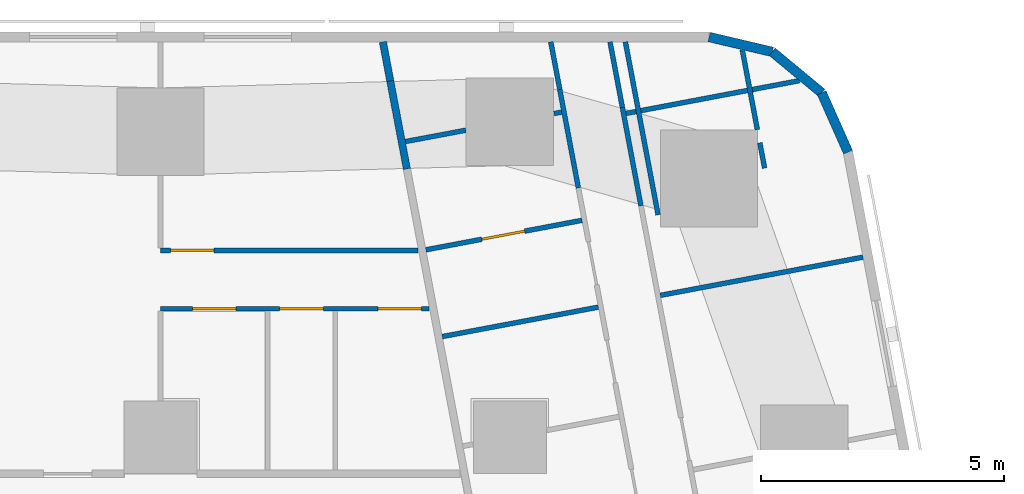
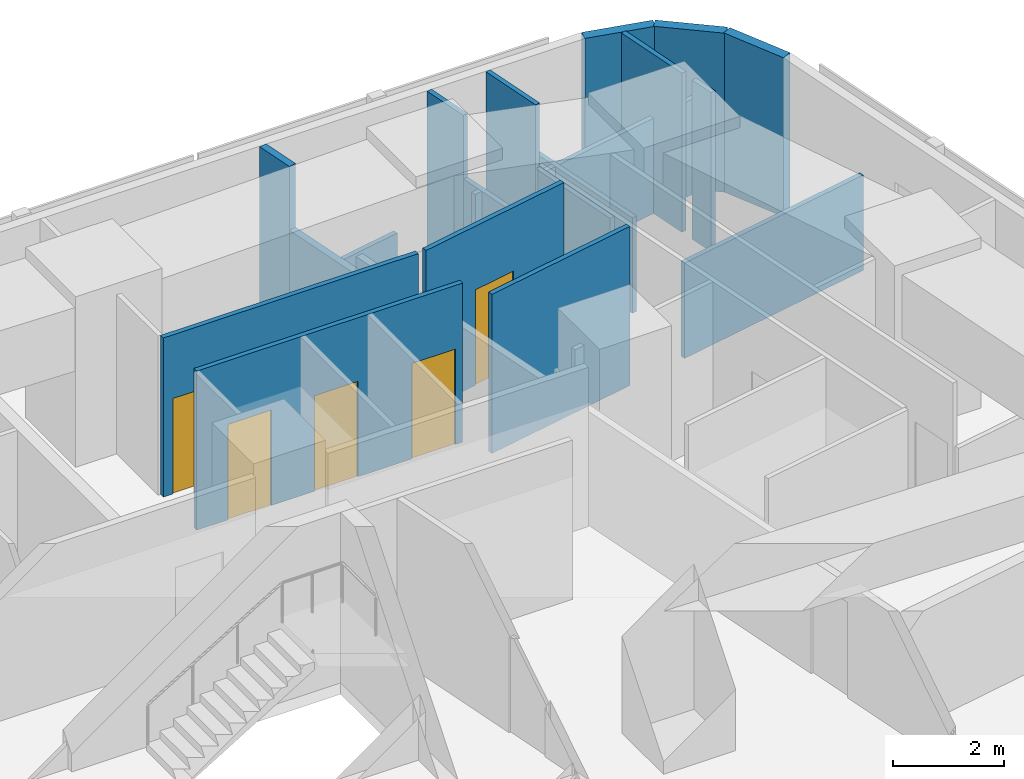
# One storey, part 11 of 15: 20 walls, 5 doors, 5 openings.
"""IFC4 building model written with IfcOpenShell, lengths in metres."""

from ifc_helpers import new_model, si_unit, direction, frame, frame_2d, origin, place, context, subcontext, project, spatial, rectangle, extrude, material, layer, layer_set, type_object, element, fill, save


model = new_model("IFC4")

# Units and contexts
model_context = context("Model", 3, precision=1e-05, world=origin(), true_north=direction((0.0, 1.0)))
body_context = subcontext(model_context, "Body", "Model", "MODEL_VIEW")
ifc_project = project(units=[si_unit("LENGTHUNIT", "METRE"), si_unit("AREAUNIT", "SQUARE_METRE"), si_unit("VOLUMEUNIT", "CUBIC_METRE"), si_unit("PLANEANGLEUNIT", "RADIAN"), si_unit("MASSUNIT", "GRAM", prefix="KILO")], contexts=[model_context])

# Site, building, storey
site_placement = place(None, origin())
site = spatial("IfcSite", under=ifc_project, at=site_placement, CompositionType="ELEMENT")
building_placement = place(site_placement, origin())
building = spatial("IfcBuilding", under=site, at=building_placement, Name="Sheger Commons Tower", CompositionType="ELEMENT")
storey_placement = place(building_placement, frame((0.0, 0.0, 147.050048828125)))
storey = spatial("IfcBuildingStorey", under=building, at=storey_placement, Name="L37", CompositionType="ELEMENT", Elevation=147.050048828125)

# Walls
ifc_material_1 = material(Name="Hollow concrete block masonry, skimmed both sides", Category="masonry")
ifc_layer_1 = layer(ifc_material_1, 0.14990234375)
ifc_layer_set_1 = layer_set([ifc_layer_1], Name="CORRIDOR WALL 150")
wall_type_1 = type_object("IfcWallType", Name="CORRIDOR WALL 150", PredefinedType="SOLIDWALL", material=ifc_layer_set_1)
wall_1_placement = place(storey_placement, frame((33.382080078125, 45.64990234375, 0.0), z_axis=(0.0, 0.0, 1.0), x_axis=(0.185169202764, -0.982706653253, 0.0)))
element("IfcWall", 1, at=wall_1_placement, inside=storey, type_object=wall_type_1, Name="Corridor wall L37", PredefinedType="SOLIDWALL", context=body_context, shape_type="SweptSolid", body=[
    extrude(rectangle(XDim=0.820068359375, YDim=0.14990234375, at=frame_2d((0.41015625, 0.0))), origin(), (0.0, 0.0, 1.0), 3.5),
])
wall_2_placement = place(storey_placement, frame((33.533935546875, 44.843994140625, 0.0), z_axis=(0.0, 0.0, 1.0), x_axis=(0.185708872674, -0.982604811005, 0.0)))
element("IfcWall", 2, at=wall_2_placement, inside=storey, type_object=wall_type_1, Name="Corridor wall L37", PredefinedType="SOLIDWALL", context=body_context, shape_type="SweptSolid", body=[
    extrude(rectangle(XDim=1.84716796875, YDim=0.14990234375, at=frame_2d((0.923583984375, 0.0))), origin(), (0.0, 0.0, 1.0), 2.099853515625),
])
ifc_material_2 = material(Name="Rendered concrete block masonry, dark grey", Category="masonry")
ifc_layer_2 = layer(ifc_material_2, 0.199951171875)
ifc_layer_set_2 = layer_set([ifc_layer_2], Name="FACADE WALL 200")
wall_type_2 = type_object("IfcWallType", Name="FACADE WALL 200", PredefinedType="SOLIDWALL", material=ifc_layer_set_2)
wall_3_placement = place(storey_placement, frame((42.969970703125, 43.376953125, 0.0), z_axis=(0.0, 0.0, 1.0), x_axis=(-0.406002956633, 0.913871762998, 0.0)))
element("IfcWall", 3, at=wall_3_placement, inside=storey, type_object=wall_type_2, Name="Facade wall L37", PredefinedType="SOLIDWALL", context=body_context, shape_type="SweptSolid", body=[
    extrude(rectangle(XDim=1.33740234375, YDim=0.199951171875, at=frame_2d((0.668701171875, 0.0))), origin(), (0.0, 0.0, 1.0), 3.5),
])
wall_4_placement = place(storey_placement, frame((42.427001953125, 44.59912109375, 0.0), z_axis=(0.0, 0.0, 1.0), x_axis=(-0.770091412544, 0.637933551655, 0.0)))
element("IfcWall", 4, at=wall_4_placement, inside=storey, type_object=wall_type_2, Name="Facade wall L37", PredefinedType="SOLIDWALL", context=body_context, shape_type="SweptSolid", body=[
    extrude(rectangle(XDim=1.324462890625, YDim=0.199951171875, at=frame_2d((0.662109375, 0.0))), origin(), (0.0, 0.0, 1.0), 3.5),
])
wall_5_placement = place(storey_placement, frame((41.406982421875, 45.444091796875, 0.0), z_axis=(0.0, 0.0, 1.0), x_axis=(-0.973453091607, 0.228886606077, 0.0)))
element("IfcWall", 5, at=wall_5_placement, inside=storey, type_object=wall_type_2, Name="Facade wall L37", PredefinedType="SOLIDWALL", context=body_context, shape_type="SweptSolid", body=[
    extrude(rectangle(XDim=1.33642578125, YDim=0.199951171875, at=frame_2d((0.668212890625, 0.0))), origin(), (0.0, 0.0, 1.0), 3.5),
])
ifc_material_3 = material(Name="Gypsum board on steel studs", Category="steel")
ifc_layer_3 = layer(ifc_material_3, 0.10009765625)
ifc_layer_set_3 = layer_set([ifc_layer_3], Name="PARTITION 100")
wall_type_3 = type_object("IfcWallType", Name="PARTITION 100", PredefinedType="PARTITIONING", material=ifc_layer_set_3)
wall_6_placement = place(storey_placement, frame((39.053955078125, 42.0849609375, 0.0), z_axis=(0.0, 0.0, 1.0), x_axis=(-0.185791584218, 0.982589175207, 0.0)))
element("IfcWall", 6, at=wall_6_placement, inside=storey, type_object=wall_type_3, Name="Partition L37", PredefinedType="PARTITIONING", context=body_context, shape_type="SweptSolid", body=[
    extrude(rectangle(XDim=3.628173828125, YDim=0.10009765625, at=frame_2d((1.81396484375, 0.0))), origin(), (0.0, 0.0, 1.0), 2.099853515625),
])
wall_7_placement = place(storey_placement, frame((40.7890625, 45.487060546875, 0.0), z_axis=(0.0, 0.0, 1.0), x_axis=(0.185572395193, -0.982630594955, 0.0)))
element("IfcWall", 7, at=wall_7_placement, inside=storey, type_object=wall_type_3, Name="Partition L37", PredefinedType="PARTITIONING", context=body_context, shape_type="SweptSolid", body=[
    extrude(rectangle(XDim=1.676025390625, YDim=0.10009765625, at=frame_2d((0.837890625, 0.0))), origin(), (0.0, 0.0, 1.0), 3.5),
])
wall_8_placement = place(storey_placement, frame((41.15087890625, 43.569091796875, 0.0), z_axis=(0.0, 0.0, 1.0), x_axis=(0.186563073924, -0.982442985342, 0.0)))
element("IfcWall", 8, at=wall_8_placement, inside=storey, type_object=wall_type_3, Name="Partition L37", PredefinedType="PARTITIONING", context=body_context, shape_type="SweptSolid", body=[
    extrude(rectangle(XDim=0.53125, YDim=0.10009765625, at=frame_2d((0.265625, 0.0))), origin(), (0.0, 0.0, 1.0), 3.5),
])
wall_9_placement = place(storey_placement, frame((38.06298828125, 45.64990234375, 0.0), z_axis=(0.0, 0.0, 1.0), x_axis=(0.185456359766, -0.982652501458, 0.0)))
element("IfcWall", 9, at=wall_9_placement, inside=storey, type_object=wall_type_3, Name="Partition L37", PredefinedType="PARTITIONING", context=body_context, shape_type="SweptSolid", body=[
    extrude(rectangle(XDim=1.375732421875, YDim=0.10009765625, at=frame_2d((0.68798828125, 0.0))), origin(), (0.0, 0.0, 1.0), 3.5),
])
wall_10_placement = place(storey_placement, frame((38.318115234375, 44.298095703125, 0.0), z_axis=(0.0, 0.0, 1.0), x_axis=(0.185481135188, -0.982647825261, 0.0)))
element("IfcWall", 10, at=wall_10_placement, inside=storey, type_object=wall_type_3, Name="Partition L37", PredefinedType="PARTITIONING", context=body_context, shape_type="SweptSolid", body=[
    extrude(rectangle(XDim=2.06396484375, YDim=0.10009765625, at=frame_2d((1.031982421875, 0.0))), origin(), (0.0, 0.0, 1.0), 2.099853515625),
])
wall_11_placement = place(storey_placement, frame((36.842041015625, 45.64990234375, 0.0), z_axis=(0.0, 0.0, 1.0), x_axis=(0.185789875365, -0.982589498322, 0.0)))
element("IfcWall", 11, at=wall_11_placement, inside=storey, type_object=wall_type_3, Name="Partition L37", PredefinedType="PARTITIONING", context=body_context, shape_type="SweptSolid", body=[
    extrude(rectangle(XDim=1.001220703125, YDim=0.10009765625, at=frame_2d((0.50048828125, 0.0))), origin(), (0.0, 0.0, 1.0), 3.5),
])
wall_12_placement = place(storey_placement, frame((37.028076171875, 44.666015625, 0.0), z_axis=(0.0, 0.0, 1.0), x_axis=(0.185481135188, -0.982647825261, 0.0)))
element("IfcWall", 12, at=wall_12_placement, inside=storey, type_object=wall_type_3, Name="Partition L37", PredefinedType="PARTITIONING", context=body_context, shape_type="SweptSolid", body=[
    extrude(rectangle(XDim=2.06396484375, YDim=0.10009765625, at=frame_2d((1.031982421875, 0.0))), origin(), (0.0, 0.0, 1.0), 2.099853515625),
])
wall_13_placement = place(storey_placement, frame((41.968017578125, 44.85009765625, 0.0), z_axis=(0.0, 0.0, 1.0), x_axis=(-0.98258614234, -0.185807623311, 0.0)))
element("IfcWall", 13, at=wall_13_placement, inside=storey, type_object=wall_type_3, Name="Partition L37", PredefinedType="PARTITIONING", context=body_context, shape_type="SweptSolid", body=[
    extrude(rectangle(XDim=3.638427734375, YDim=0.10009765625, at=frame_2d((1.8193359375, 0.0))), origin(), (0.0, 0.0, 1.0), 2.099853515625),
])
wall_14_placement = place(storey_placement, frame((43.277099609375, 41.2119140625, 0.0), z_axis=(0.0, 0.0, 1.0), x_axis=(-0.982665405803, -0.185387972203, 0.0)))
element("IfcWall", 14, at=wall_14_placement, inside=storey, type_object=wall_type_3, Name="Partition L37", PredefinedType="PARTITIONING", context=body_context, shape_type="SweptSolid", body=[
    extrude(rectangle(XDim=4.249755859375, YDim=0.10009765625, at=frame_2d((2.125, 0.0))), origin(), (0.0, 0.0, 1.0), 2.099853515625),
])
wall_15_placement = place(storey_placement, frame((37.06494140625, 44.200927734375, 0.0), z_axis=(0.0, 0.0, 1.0), x_axis=(-0.983168876381, -0.182699098288, 0.0)))
element("IfcWall", 15, at=wall_15_placement, inside=storey, type_object=wall_type_3, Name="Partition L37", PredefinedType="PARTITIONING", context=body_context, shape_type="SweptSolid", body=[
    extrude(rectangle(XDim=0.15771484375, YDim=0.10009765625, at=frame_2d((0.078857421875, 0.0))), origin(), (0.0, 0.0, 1.0), 2.099853515625),
])
wall_16_placement = place(storey_placement, frame((35.090087890625, 43.827880859375, 0.0), z_axis=(0.0, 0.0, 1.0), x_axis=(-0.982758384778, -0.184894448668, 0.0)))
element("IfcWall", 16, at=wall_16_placement, inside=storey, type_object=wall_type_3, Name="Partition L37", PredefinedType="PARTITIONING", context=body_context, shape_type="SweptSolid", body=[
    extrude(rectangle(XDim=1.264892578125, YDim=0.10009765625, at=frame_2d((0.63232421875, 0.0))), origin(), (0.0, 0.0, 1.0), 2.099853515625),
])
wall_17_placement = place(storey_placement, frame((37.822998046875, 40.181884765625, 0.0), z_axis=(0.0, 0.0, 1.0), x_axis=(-0.982664729897, -0.18539155487, 0.0)))
element("IfcWall", 17, at=wall_17_placement, inside=storey, type_object=wall_type_3, Name="Partition L37", PredefinedType="PARTITIONING", context=body_context, shape_type="SweptSolid", body=[
    extrude(rectangle(XDim=3.273681640625, YDim=0.10009765625, at=frame_2d((1.63671875, 0.0))), origin(), (0.0, 0.0, 1.0), 3.5),
])

# Wall, opening, door
wall_18_placement = place(storey_placement, frame((37.486083984375, 41.970947265625, 0.0), z_axis=(0.0, 0.0, 1.0), x_axis=(-0.982620626894, -0.185625169636, 0.0)))
wall_18 = element("IfcWall", 18, at=wall_18_placement, inside=storey, type_object=wall_type_3, Name="Partition L37", PredefinedType="PARTITIONING", context=body_context, shape_type="SweptSolid", body=[
    extrude(rectangle(XDim=3.27490234375, YDim=0.10009765625, at=frame_2d((1.637451171875, 0.0))), origin(), (0.0, 0.0, 1.0), 3.5),
])
opening_1_placement = place(wall_18_placement, frame((1.200927734375, 0.0, 0.0)))
opening_1 = element("IfcOpeningElement", 19, at=opening_1_placement, cuts=wall_18, Name="Opening D2", PredefinedType="OPENING", context=body_context, shape_type="SweptSolid", body=[
    extrude(rectangle(XDim=0.89990234375, YDim=2.10009765625, at=frame_2d((0.449951171875, 1.050048828125))), frame((0.0, 0.06005859375, 0.0), z_axis=(0.0, -1.0, 0.0), x_axis=(1.0, 0.0, 0.0)), (0.0, 0.0, 1.0), 0.1201171875),
])
ifc_material_4 = material(Name="Timber door set", Category="wood")
door_type = type_object("IfcDoorType", Name="INTERNAL DOOR 900x2100", OperationType="NOTDEFINED", PredefinedType="DOOR", material=ifc_material_4)
door_1_placement = place(opening_1_placement, origin())
door_1 = element("IfcDoor", 20, at=door_1_placement, inside=storey, type_object=door_type, Name="Store door", OperationType="SINGLE_SWING_RIGHT", OverallHeight=2.10009765625, OverallWidth=0.89990234375, PredefinedType="DOOR", context=body_context, shape_type="SweptSolid", body=[
    extrude(rectangle(XDim=0.89990234375, YDim=2.10009765625, at=frame_2d((0.449951171875, 1.050048828125))), frame((0.0, 0.02490234375, 0.0), z_axis=(0.0, -1.0, 0.0), x_axis=(1.0, 0.0, 0.0)), (0.0, 0.0, 1.0), 0.050048828125),
])
fill(opening_1, door_1)

wall_19_placement = place(storey_placement, frame((28.800048828125, 41.35009765625, 0.0), z_axis=(0.0, 0.0, 1.0), x_axis=(1.0, 0.0, 0.0)))
wall_19 = element("IfcWall", 21, at=wall_19_placement, inside=storey, type_object=wall_type_3, Name="Partition L37", PredefinedType="PARTITIONING", context=body_context, shape_type="SweptSolid", body=[
    extrude(rectangle(XDim=5.307861328125, YDim=0.10009765625, at=frame_2d((2.65380859375, 0.0))), origin(), (0.0, 0.0, 1.0), 3.5),
])
opening_2_placement = place(wall_19_placement, frame((0.199951171875, 0.0, 0.0)))
opening_2 = element("IfcOpeningElement", 22, at=opening_2_placement, cuts=wall_19, Name="Opening D2", PredefinedType="OPENING", context=body_context, shape_type="SweptSolid", body=[
    extrude(rectangle(XDim=0.89990234375, YDim=2.10009765625, at=frame_2d((0.449951171875, 1.050048828125))), frame((0.0, 0.06005859375, 0.0), z_axis=(0.0, -1.0, 0.0), x_axis=(1.0, 0.0, 0.0)), (0.0, 0.0, 1.0), 0.1201171875),
])
door_2_placement = place(opening_2_placement, origin())
door_2 = element("IfcDoor", 23, at=door_2_placement, inside=storey, type_object=door_type, Name="Main bedroom door", OperationType="SINGLE_SWING_LEFT", OverallHeight=2.10009765625, OverallWidth=0.89990234375, PredefinedType="DOOR", context=body_context, shape_type="SweptSolid", body=[
    extrude(rectangle(XDim=0.89990234375, YDim=2.10009765625, at=frame_2d((0.449951171875, 1.050048828125))), frame((0.0, 0.02490234375, 0.0), z_axis=(0.0, -1.0, 0.0), x_axis=(1.0, 0.0, 0.0)), (0.0, 0.0, 1.0), 0.050048828125),
])
fill(opening_2, door_2)

# Wall, openings, doors
wall_20_placement = place(storey_placement, frame((28.800048828125, 40.14990234375, 0.0), z_axis=(0.0, 0.0, 1.0), x_axis=(1.0, 0.0, 0.0)))
wall_20 = element("IfcWall", 24, at=wall_20_placement, inside=storey, type_object=wall_type_3, Name="Partition L37", PredefinedType="PARTITIONING", context=body_context, shape_type="SweptSolid", body=[
    extrude(rectangle(XDim=5.534912109375, YDim=0.10009765625, at=frame_2d((2.767578125, 0.0))), origin(), (0.0, 0.0, 1.0), 3.5),
])
opening_3_placement = place(wall_20_placement, frame((0.655029296875, 0.0, 0.0)))
opening_3 = element("IfcOpeningElement", 25, at=opening_3_placement, cuts=wall_20, Name="Opening D2", PredefinedType="OPENING", context=body_context, shape_type="SweptSolid", body=[
    extrude(rectangle(XDim=0.89990234375, YDim=2.10009765625, at=frame_2d((0.449951171875, 1.050048828125))), frame((0.0, 0.06005859375, 0.0), z_axis=(0.0, -1.0, 0.0), x_axis=(1.0, 0.0, 0.0)), (0.0, 0.0, 1.0), 0.1201171875),
])
opening_4_placement = place(wall_20_placement, frame((4.48095703125, 0.0, 0.0)))
opening_4 = element("IfcOpeningElement", 26, at=opening_4_placement, cuts=wall_20, Name="Opening D2", PredefinedType="OPENING", context=body_context, shape_type="SweptSolid", body=[
    extrude(rectangle(XDim=0.89990234375, YDim=2.10009765625, at=frame_2d((0.449951171875, 1.050048828125))), frame((0.0, 0.06005859375, 0.0), z_axis=(0.0, -1.0, 0.0), x_axis=(1.0, 0.0, 0.0)), (0.0, 0.0, 1.0), 0.1201171875),
])
opening_5_placement = place(wall_20_placement, frame((2.455078125, 0.0, 0.0)))
opening_5 = element("IfcOpeningElement", 27, at=opening_5_placement, cuts=wall_20, Name="Opening D2", PredefinedType="OPENING", context=body_context, shape_type="SweptSolid", body=[
    extrude(rectangle(XDim=0.89990234375, YDim=2.10009765625, at=frame_2d((0.449951171875, 1.050048828125))), frame((0.0, 0.06005859375, 0.0), z_axis=(0.0, -1.0, 0.0), x_axis=(1.0, 0.0, 0.0)), (0.0, 0.0, 1.0), 0.1201171875),
])
door_3_placement = place(opening_3_placement, origin())
door_3 = element("IfcDoor", 28, at=door_3_placement, inside=storey, type_object=door_type, Name="Bathroom door", OperationType="SINGLE_SWING_RIGHT", OverallHeight=2.10009765625, OverallWidth=0.89990234375, PredefinedType="DOOR", context=body_context, shape_type="SweptSolid", body=[
    extrude(rectangle(XDim=0.89990234375, YDim=2.10009765625, at=frame_2d((0.449951171875, 1.050048828125))), frame((0.0, 0.02490234375, 0.0), z_axis=(0.0, -1.0, 0.0), x_axis=(1.0, 0.0, 0.0)), (0.0, 0.0, 1.0), 0.050048828125),
])
fill(opening_3, door_3)
door_4_placement = place(opening_4_placement, origin())
door_4 = element("IfcDoor", 29, at=door_4_placement, inside=storey, type_object=door_type, Name="Laundry room door", OperationType="SINGLE_SWING_LEFT", OverallHeight=2.10009765625, OverallWidth=0.89990234375, PredefinedType="DOOR", context=body_context, shape_type="SweptSolid", body=[
    extrude(rectangle(XDim=0.89990234375, YDim=2.10009765625, at=frame_2d((0.449951171875, 1.050048828125))), frame((0.0, 0.02490234375, 0.0), z_axis=(0.0, -1.0, 0.0), x_axis=(1.0, 0.0, 0.0)), (0.0, 0.0, 1.0), 0.050048828125),
])
fill(opening_4, door_4)
door_5_placement = place(opening_5_placement, origin())
door_5 = element("IfcDoor", 30, at=door_5_placement, inside=storey, type_object=door_type, Name="Store door", OperationType="SINGLE_SWING_RIGHT", OverallHeight=2.10009765625, OverallWidth=0.89990234375, PredefinedType="DOOR", context=body_context, shape_type="SweptSolid", body=[
    extrude(rectangle(XDim=0.89990234375, YDim=2.10009765625, at=frame_2d((0.449951171875, 1.050048828125))), frame((0.0, 0.02490234375, 0.0), z_axis=(0.0, -1.0, 0.0), x_axis=(1.0, 0.0, 0.0)), (0.0, 0.0, 1.0), 0.050048828125),
])
fill(opening_5, door_5)

save(model, "model.ifc")
